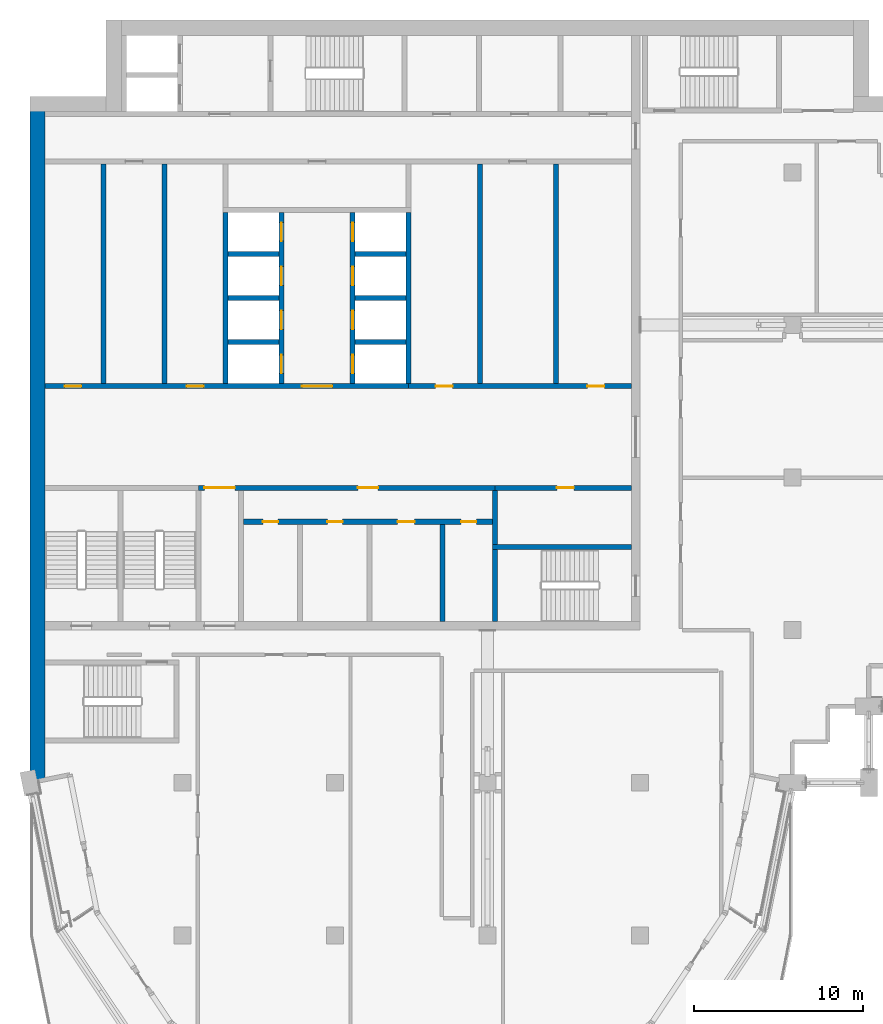
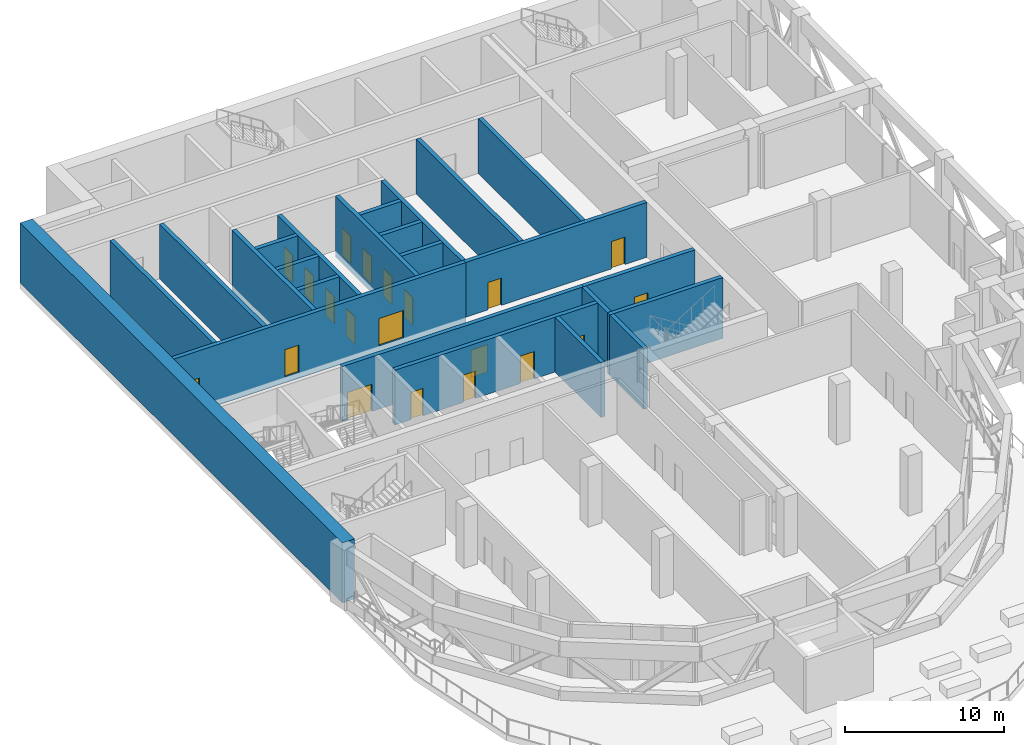
# One storey, part 8 of 18: 24 walls, 20 doors, 20 openings.
"""IFC4 building model written with IfcOpenShell, lengths in metres."""

from ifc_helpers import new_model, si_unit, direction, frame, frame_2d, origin, place, context, subcontext, project, spatial, rectangle, extrude, material, layer, layer_set, type_object, element, fill, save


model = new_model("IFC4")

# Units and contexts
model_context = context("Model", 3, precision=1e-05, world=origin(), true_north=direction((0.0, 1.0)))
body_context = subcontext(model_context, "Body", "Model", "MODEL_VIEW")
ifc_project = project(units=[si_unit("LENGTHUNIT", "METRE"), si_unit("AREAUNIT", "SQUARE_METRE"), si_unit("VOLUMEUNIT", "CUBIC_METRE"), si_unit("PLANEANGLEUNIT", "RADIAN"), si_unit("MASSUNIT", "GRAM", prefix="KILO")], contexts=[model_context])

# Site, building, storey
site_placement = place(None, origin())
site = spatial("IfcSite", under=ifc_project, at=site_placement, CompositionType="ELEMENT")
building_placement = place(site_placement, origin())
building = spatial("IfcBuilding", under=site, at=building_placement, Name="Hunhe Ridgeline Campus", CompositionType="ELEMENT")
storey_placement = place(building_placement, frame((0.0, 0.0, 276.199951171875)))
storey = spatial("IfcBuildingStorey", under=building, at=storey_placement, Name="L71", CompositionType="ELEMENT", Elevation=276.199951171875)

# Wall, openings, doors
ifc_material_1 = material(Name="Masonry concrete blockwork", Category="masonry")
ifc_layer_1 = layer(ifc_material_1, 0.300048828125)
ifc_layer_set_1 = layer_set([ifc_layer_1], Name="Core room partition 300 concrete block")
wall_type_1 = type_object("IfcWallType", Name="Core room partition 300 concrete block", PredefinedType="PARTITIONING", material=ifc_layer_set_1)
wall_1_placement = place(storey_placement, frame((12.60009765625, 69.39990234375, 0.0), z_axis=(0.0, 0.0, 1.0), x_axis=(1.0, 0.0, 0.0)))
wall_1 = element("IfcWall", 1, at=wall_1_placement, inside=storey, type_object=wall_type_1, Name="L71 core partition 7", PredefinedType="PARTITIONING", context=body_context, shape_type="SweptSolid", body=[
    extrude(rectangle(XDim=14.699951171875, YDim=0.300048828125, at=frame_2d((7.35009765625, 0.0))), origin(), (0.0, 0.0, 1.0), 4.199951171875),
])
opening_1_placement = place(wall_1_placement, frame((1.14990234375, 0.0, 0.0)))
opening_1 = element("IfcOpeningElement", 2, at=opening_1_placement, cuts=wall_1, Name="Opening CD8", PredefinedType="OPENING", context=body_context, shape_type="SweptSolid", body=[
    extrude(rectangle(XDim=0.89990234375, YDim=2.10009765625, at=frame_2d((0.449951171875, 1.050048828125))), frame((0.0, 0.14990234375, 0.0), z_axis=(0.0, -1.0, 0.0), x_axis=(1.0, 0.0, 0.0)), (0.0, 0.0, 1.0), 0.300048828125),
])
opening_2_placement = place(wall_1_placement, frame((4.949951171875, 0.0, 0.0)))
opening_2 = element("IfcOpeningElement", 3, at=opening_2_placement, cuts=wall_1, Name="Opening CD9", PredefinedType="OPENING", context=body_context, shape_type="SweptSolid", body=[
    extrude(rectangle(XDim=0.89990234375, YDim=2.10009765625, at=frame_2d((0.449951171875, 1.050048828125))), frame((0.0, 0.14990234375, 0.0), z_axis=(0.0, -1.0, 0.0), x_axis=(1.0, 0.0, 0.0)), (0.0, 0.0, 1.0), 0.300048828125),
])
opening_3_placement = place(wall_1_placement, frame((9.10009765625, 0.0, 0.0)))
opening_3 = element("IfcOpeningElement", 4, at=opening_3_placement, cuts=wall_1, Name="Opening CD10", PredefinedType="OPENING", context=body_context, shape_type="SweptSolid", body=[
    extrude(rectangle(XDim=1.0, YDim=2.10009765625, at=frame_2d((0.5, 1.050048828125))), frame((0.0, 0.14990234375, 0.0), z_axis=(0.0, -1.0, 0.0), x_axis=(1.0, 0.0, 0.0)), (0.0, 0.0, 1.0), 0.300048828125),
])
opening_4_placement = place(wall_1_placement, frame((12.85009765625, 0.0, 0.0)))
opening_4 = element("IfcOpeningElement", 5, at=opening_4_placement, cuts=wall_1, Name="Opening CD11", PredefinedType="OPENING", context=body_context, shape_type="SweptSolid", body=[
    extrude(rectangle(XDim=0.89990234375, YDim=2.10009765625, at=frame_2d((0.449951171875, 1.050048828125))), frame((0.0, 0.14990234375, 0.0), z_axis=(0.0, -1.0, 0.0), x_axis=(1.0, 0.0, 0.0)), (0.0, 0.0, 1.0), 0.300048828125),
])
ifc_material_2 = material(Name="Solid core timber door leaf", Category="wood")
door_type_1 = type_object("IfcDoorType", Name="Timber door 1000x2100", OperationType="SINGLE_SWING_LEFT", PredefinedType="DOOR", material=ifc_material_2)
door_1_placement = place(opening_3_placement, frame((1.0, 0.0, 0.0), z_axis=(0.0, 0.0, 1.0), x_axis=(-1.0, 0.0, 0.0)))
door_1 = element("IfcDoor", 6, at=door_1_placement, inside=storey, type_object=door_type_1, Name="L71 door WC3", OperationType="SINGLE_SWING_LEFT", OverallHeight=2.10009765625, OverallWidth=1.0, PredefinedType="DOOR", context=body_context, shape_type="SweptSolid", body=[
    extrude(rectangle(XDim=1.0, YDim=2.10009765625, at=frame_2d((0.5, 1.050048828125))), frame((0.0, 0.02490234375, 0.0), z_axis=(0.0, -1.0, 0.0), x_axis=(1.0, 0.0, 0.0)), (0.0, 0.0, 1.0), 0.050048828125),
])
fill(opening_3, door_1)
door_type_2 = type_object("IfcDoorType", Name="Timber door 900x2100", OperationType="SINGLE_SWING_LEFT", PredefinedType="DOOR", material=ifc_material_2)
door_2_placement = place(opening_1_placement, frame((0.89990234375, 0.0, 0.0), z_axis=(0.0, 0.0, 1.0), x_axis=(-1.0, 0.0, 0.0)))
door_2 = element("IfcDoor", 7, at=door_2_placement, inside=storey, type_object=door_type_2, Name="L71 door WC1", OperationType="SINGLE_SWING_LEFT", OverallHeight=2.10009765625, OverallWidth=0.89990234375, PredefinedType="DOOR", context=body_context, shape_type="SweptSolid", body=[
    extrude(rectangle(XDim=0.89990234375, YDim=2.10009765625, at=frame_2d((0.449951171875, 1.050048828125))), frame((0.0, 0.02490234375, 0.0), z_axis=(0.0, -1.0, 0.0), x_axis=(1.0, 0.0, 0.0)), (0.0, 0.0, 1.0), 0.050048828125),
])
fill(opening_1, door_2)
door_3_placement = place(opening_2_placement, frame((0.89990234375, 0.0, 0.0), z_axis=(0.0, 0.0, 1.0), x_axis=(-1.0, 0.0, 0.0)))
door_3 = element("IfcDoor", 8, at=door_3_placement, inside=storey, type_object=door_type_2, Name="L71 door WC2", OperationType="SINGLE_SWING_RIGHT", OverallHeight=2.10009765625, OverallWidth=0.89990234375, PredefinedType="DOOR", context=body_context, shape_type="SweptSolid", body=[
    extrude(rectangle(XDim=0.89990234375, YDim=2.10009765625, at=frame_2d((0.449951171875, 1.050048828125))), frame((0.0, 0.02490234375, 0.0), z_axis=(0.0, -1.0, 0.0), x_axis=(1.0, 0.0, 0.0)), (0.0, 0.0, 1.0), 0.050048828125),
])
fill(opening_2, door_3)
door_4_placement = place(opening_4_placement, frame((0.89990234375, 0.0, 0.0), z_axis=(0.0, 0.0, 1.0), x_axis=(-1.0, 0.0, 0.0)))
door_4 = element("IfcDoor", 9, at=door_4_placement, inside=storey, type_object=door_type_2, Name="L71 door WC4", OperationType="SINGLE_SWING_RIGHT", OverallHeight=2.10009765625, OverallWidth=0.89990234375, PredefinedType="DOOR", context=body_context, shape_type="SweptSolid", body=[
    extrude(rectangle(XDim=0.89990234375, YDim=2.10009765625, at=frame_2d((0.449951171875, 1.050048828125))), frame((0.0, 0.02490234375, 0.0), z_axis=(0.0, -1.0, 0.0), x_axis=(1.0, 0.0, 0.0)), (0.0, 0.0, 1.0), 0.050048828125),
])
fill(opening_4, door_4)

wall_2_placement = place(storey_placement, frame((9.949951171875, 71.39990234375, 0.0), z_axis=(0.0, 0.0, 1.0), x_axis=(1.0, 0.0, 0.0)))
wall_2 = element("IfcWall", 10, at=wall_2_placement, inside=storey, type_object=wall_type_1, Name="L71 core partition 9", PredefinedType="PARTITIONING", context=body_context, shape_type="SweptSolid", body=[
    extrude(rectangle(XDim=17.5, YDim=0.300048828125, at=frame_2d((8.75, 0.0))), origin(), (0.0, 0.0, 1.0), 4.199951171875),
])
opening_5_placement = place(wall_2_placement, frame((0.35009765625, 0.0, 0.0)))
opening_5 = element("IfcOpeningElement", 11, at=opening_5_placement, cuts=wall_2, Name="Opening CD7", PredefinedType="OPENING", context=body_context, shape_type="SweptSolid", body=[
    extrude(rectangle(XDim=1.800048828125, YDim=2.10009765625, at=frame_2d((0.89990234375, 1.050048828125))), frame((0.0, 0.14990234375, 0.0), z_axis=(0.0, -1.0, 0.0), x_axis=(1.0, 0.0, 0.0)), (0.0, 0.0, 1.0), 0.300048828125),
])
opening_6_placement = place(wall_2_placement, frame((9.39990234375, 0.0, 0.0)))
opening_6 = element("IfcOpeningElement", 12, at=opening_6_placement, cuts=wall_2, Name="Opening CD12", PredefinedType="OPENING", context=body_context, shape_type="SweptSolid", body=[
    extrude(rectangle(XDim=1.199951171875, YDim=2.10009765625, at=frame_2d((0.60009765625, 1.050048828125))), frame((0.0, 0.14990234375, 0.0), z_axis=(0.0, -1.0, 0.0), x_axis=(1.0, 0.0, 0.0)), (0.0, 0.0, 1.0), 0.300048828125),
])
ifc_material_3 = material(Name="Anodised aluminium and glass", Category="aluminium")
door_type_3 = type_object("IfcDoorType", Name="Glazed double door 1800x2100", OperationType="DOUBLE_DOOR_SINGLE_SWING", PredefinedType="DOOR", material=ifc_material_3)
door_5_placement = place(opening_5_placement, origin())
door_5 = element("IfcDoor", 13, at=door_5_placement, inside=storey, type_object=door_type_3, Name="L71 door VEST-HALL", OperationType="DOUBLE_DOOR_SINGLE_SWING", OverallHeight=2.10009765625, OverallWidth=1.800048828125, PredefinedType="DOOR", context=body_context, shape_type="SweptSolid", body=[
    extrude(rectangle(XDim=1.800048828125, YDim=2.10009765625, at=frame_2d((0.89990234375, 1.050048828125))), frame((0.0, 0.02490234375, 0.0), z_axis=(0.0, -1.0, 0.0), x_axis=(1.0, 0.0, 0.0)), (0.0, 0.0, 1.0), 0.050048828125),
])
fill(opening_5, door_5)
door_type_4 = type_object("IfcDoorType", Name="Timber door 1200x2100", OperationType="SINGLE_SWING_LEFT", PredefinedType="DOOR", material=ifc_material_2)
door_6_placement = place(opening_6_placement, origin())
door_6 = element("IfcDoor", 14, at=door_6_placement, inside=storey, type_object=door_type_4, Name="L71 door WCL2-HALL", OperationType="SINGLE_SWING_RIGHT", OverallHeight=2.10009765625, OverallWidth=1.199951171875, PredefinedType="DOOR", context=body_context, shape_type="SweptSolid", body=[
    extrude(rectangle(XDim=1.199951171875, YDim=2.10009765625, at=frame_2d((0.60009765625, 1.050048828125))), frame((0.0, 0.02490234375, 0.0), z_axis=(0.0, -1.0, 0.0), x_axis=(1.0, 0.0, 0.0)), (0.0, 0.0, 1.0), 0.050048828125),
])
fill(opening_6, door_6)

# Walls
for number, where, z_axis, x_axis, name in (
    (15, (4.35009765625, 77.550048828125, 0.0), (0.0, 0.0, 1.0), (0.0, 1.0, 0.0), "L71 core partition 24"),
    (16, (7.949951171875, 77.550048828125, 0.0), (0.0, 0.0, 1.0), (0.0, 1.0, 0.0), "L71 core partition 27"),
):
    element("IfcWall", number, at=place(storey_placement, frame(where, z_axis=z_axis, x_axis=x_axis)), inside=storey, type_object=wall_type_1, Name=name, PredefinedType="PARTITIONING", context=body_context, shape_type="SweptSolid", body=[
        extrude(rectangle(XDim=12.949951171875, YDim=0.300048828125, at=frame_2d((6.47509765625, 0.0))), origin(), (0.0, 0.0, 1.0), 4.199951171875),
    ])
wall_3_placement = place(storey_placement, frame((24.35009765625, 63.5, 0.0), z_axis=(0.0, 0.0, 1.0), x_axis=(0.0, 1.0, 0.0)))
element("IfcWall", 17, at=wall_3_placement, inside=storey, type_object=wall_type_1, Name="L71 core partition 44", PredefinedType="PARTITIONING", context=body_context, shape_type="SweptSolid", body=[
    extrude(rectangle(XDim=5.75, YDim=0.300048828125, at=frame_2d((2.875, 0.0))), origin(), (0.0, 0.0, 1.0), 4.199951171875),
])
wall_4_placement = place(storey_placement, frame((26.550048828125, 77.550048828125, 0.0), z_axis=(0.0, 0.0, 1.0), x_axis=(0.0, 1.0, 0.0)))
element("IfcWall", 18, at=wall_4_placement, inside=storey, type_object=wall_type_1, Name="L71 core partition 46", PredefinedType="PARTITIONING", context=body_context, shape_type="SweptSolid", body=[
    extrude(rectangle(XDim=12.949951171875, YDim=0.300048828125, at=frame_2d((6.47509765625, 0.0))), origin(), (0.0, 0.0, 1.0), 4.199951171875),
])
wall_5_placement = place(storey_placement, frame((27.449951171875, 68.050048828125, 0.0), z_axis=(0.0, 0.0, 1.0), x_axis=(0.0, 1.0, 0.0)))
element("IfcWall", 19, at=wall_5_placement, inside=storey, type_object=wall_type_1, Name="L71 core partition 48", PredefinedType="PARTITIONING", context=body_context, shape_type="SweptSolid", body=[
    extrude(rectangle(XDim=3.199951171875, YDim=0.300048828125, at=frame_2d((1.60009765625, 0.0))), origin(), (0.0, 0.0, 1.0), 4.199951171875),
])
wall_6_placement = place(storey_placement, frame((31.050048828125, 77.550048828125, 0.0), z_axis=(0.0, 0.0, 1.0), x_axis=(0.0, 1.0, 0.0)))
element("IfcWall", 20, at=wall_6_placement, inside=storey, type_object=wall_type_1, Name="L71 core partition 49", PredefinedType="PARTITIONING", context=body_context, shape_type="SweptSolid", body=[
    extrude(rectangle(XDim=12.949951171875, YDim=0.300048828125, at=frame_2d((6.47509765625, 0.0))), origin(), (0.0, 0.0, 1.0), 4.199951171875),
])

# Wall, opening, door
ifc_material_4 = material(Name="Concrete C50", Category="concrete")
ifc_layer_2 = layer(ifc_material_4, 0.300048828125)
ifc_layer_set_2 = layer_set([ifc_layer_2], Name="Lobby wall 300 reinforced concrete C50")
wall_type_2 = type_object("IfcWallType", Name="Lobby wall 300 reinforced concrete C50", PredefinedType="SOLIDWALL", material=ifc_layer_set_2)
wall_7_placement = place(storey_placement, frame((27.449951171875, 71.39990234375, 0.0), z_axis=(0.0, 0.0, 1.0), x_axis=(1.0, 0.0, 0.0)))
wall_7 = element("IfcWall", 21, at=wall_7_placement, inside=storey, type_object=wall_type_2, Name="L71 core wall 10", PredefinedType="SOLIDWALL", context=body_context, shape_type="SweptSolid", body=[
    extrude(rectangle(XDim=8.050048828125, YDim=0.300048828125, at=frame_2d((4.02490234375, 0.0))), origin(), (0.0, 0.0, 1.0), 4.199951171875),
])
opening_7_placement = place(wall_7_placement, frame((3.64990234375, 0.0, 0.0)))
opening_7 = element("IfcOpeningElement", 22, at=opening_7_placement, cuts=wall_7, Name="Opening CD25", PredefinedType="OPENING", context=body_context, shape_type="SweptSolid", body=[
    extrude(rectangle(XDim=1.0, YDim=2.10009765625, at=frame_2d((0.5, 1.050048828125))), frame((0.0, 0.14990234375, 0.0), z_axis=(0.0, -1.0, 0.0), x_axis=(1.0, 0.0, 0.0)), (0.0, 0.0, 1.0), 0.300048828125),
])
door_7_placement = place(opening_7_placement, frame((1.0, 0.0, 0.0), z_axis=(0.0, 0.0, 1.0), x_axis=(-1.0, 0.0, 0.0)))
door_7 = element("IfcDoor", 23, at=door_7_placement, inside=storey, type_object=door_type_1, Name="L71 door SE1", OperationType="SINGLE_SWING_LEFT", OverallHeight=2.10009765625, OverallWidth=1.0, PredefinedType="DOOR", context=body_context, shape_type="SweptSolid", body=[
    extrude(rectangle(XDim=1.0, YDim=2.10009765625, at=frame_2d((0.5, 1.050048828125))), frame((0.0, 0.02490234375, 0.0), z_axis=(0.0, -1.0, 0.0), x_axis=(1.0, 0.0, 0.0)), (0.0, 0.0, 1.0), 0.050048828125),
])
fill(opening_7, door_7)

# Wall, openings, doors
wall_8_placement = place(storey_placement, frame((22.35009765625, 77.39990234375, 0.0), z_axis=(0.0, 0.0, 1.0), x_axis=(1.0, 0.0, 0.0)))
wall_8 = element("IfcWall", 24, at=wall_8_placement, inside=storey, type_object=wall_type_2, Name="L71 core wall 12", PredefinedType="SOLIDWALL", context=body_context, shape_type="SweptSolid", body=[
    extrude(rectangle(XDim=13.14990234375, YDim=0.300048828125, at=frame_2d((6.574951171875, 0.0))), origin(), (0.0, 0.0, 1.0), 4.199951171875),
])
opening_8_placement = place(wall_8_placement, frame((1.60009765625, 0.0, 0.0)))
opening_8 = element("IfcOpeningElement", 25, at=opening_8_placement, cuts=wall_8, Name="Opening CD32", PredefinedType="OPENING", context=body_context, shape_type="SweptSolid", body=[
    extrude(rectangle(XDim=1.0, YDim=2.10009765625, at=frame_2d((0.5, 1.050048828125))), frame((0.0, 0.14990234375, 0.0), z_axis=(0.0, -1.0, 0.0), x_axis=(1.0, 0.0, 0.0)), (0.0, 0.0, 1.0), 0.300048828125),
])
opening_9_placement = place(wall_8_placement, frame((10.550048828125, 0.0, 0.0)))
opening_9 = element("IfcOpeningElement", 26, at=opening_9_placement, cuts=wall_8, Name="Opening CD42", PredefinedType="OPENING", context=body_context, shape_type="SweptSolid", body=[
    extrude(rectangle(XDim=1.0, YDim=2.10009765625, at=frame_2d((0.5, 1.050048828125))), frame((0.0, 0.14990234375, 0.0), z_axis=(0.0, -1.0, 0.0), x_axis=(1.0, 0.0, 0.0)), (0.0, 0.0, 1.0), 0.300048828125),
])
door_8_placement = place(opening_8_placement, origin())
door_8 = element("IfcDoor", 27, at=door_8_placement, inside=storey, type_object=door_type_1, Name="L71 door ES0", OperationType="SINGLE_SWING_LEFT", OverallHeight=2.10009765625, OverallWidth=1.0, PredefinedType="DOOR", context=body_context, shape_type="SweptSolid", body=[
    extrude(rectangle(XDim=1.0, YDim=2.10009765625, at=frame_2d((0.5, 1.050048828125))), frame((0.0, 0.02490234375, 0.0), z_axis=(0.0, -1.0, 0.0), x_axis=(1.0, 0.0, 0.0)), (0.0, 0.0, 1.0), 0.050048828125),
])
fill(opening_8, door_8)
door_9_placement = place(opening_9_placement, origin())
door_9 = element("IfcDoor", 28, at=door_9_placement, inside=storey, type_object=door_type_1, Name="L71 door ES2", OperationType="SINGLE_SWING_LEFT", OverallHeight=2.10009765625, OverallWidth=1.0, PredefinedType="DOOR", context=body_context, shape_type="SweptSolid", body=[
    extrude(rectangle(XDim=1.0, YDim=2.10009765625, at=frame_2d((0.5, 1.050048828125))), frame((0.0, 0.02490234375, 0.0), z_axis=(0.0, -1.0, 0.0), x_axis=(1.0, 0.0, 0.0)), (0.0, 0.0, 1.0), 0.050048828125),
])
fill(opening_9, door_9)

ifc_layer_3 = layer(ifc_material_4, 0.300048828125)
ifc_layer_set_3 = layer_set([ifc_layer_3], Name="Shaft wall 300 reinforced concrete C50")
wall_type_3 = type_object("IfcWallType", Name="Shaft wall 300 reinforced concrete C50", PredefinedType="SOLIDWALL", material=ifc_layer_set_3)
wall_9_placement = place(storey_placement, frame((0.89990234375, 77.39990234375, -0.449951171875), z_axis=(0.0, 0.0, 1.0), x_axis=(1.0, 0.0, 0.0)))
wall_9 = element("IfcWall", 29, at=wall_9_placement, inside=storey, type_object=wall_type_3, Name="L71 core wall 11", PredefinedType="SOLIDWALL", context=body_context, shape_type="SweptSolid", body=[
    extrude(rectangle(XDim=21.4501953125, YDim=0.300048828125, at=frame_2d((10.72509765625, 0.0))), origin(), (0.0, 0.0, 1.0), 4.64990234375),
])
opening_10_placement = place(wall_9_placement, frame((15.14990234375, 0.0, 0.449951171875)))
opening_10 = element("IfcOpeningElement", 30, at=opening_10_placement, cuts=wall_9, Name="Opening CD38", PredefinedType="OPENING", context=body_context, shape_type="SweptSolid", body=[
    extrude(rectangle(XDim=1.800048828125, YDim=2.10009765625, at=frame_2d((0.89990234375, 1.050048828125))), frame((0.0, 0.14990234375, 0.0), z_axis=(0.0, -1.0, 0.0), x_axis=(1.0, 0.0, 0.0)), (0.0, 0.0, 1.0), 0.300048828125),
])
opening_11_placement = place(wall_9_placement, frame((1.14990234375, 0.0, 0.449951171875)))
opening_11 = element("IfcOpeningElement", 31, at=opening_11_placement, cuts=wall_9, Name="Opening CD39", PredefinedType="OPENING", context=body_context, shape_type="SweptSolid", body=[
    extrude(rectangle(XDim=1.0, YDim=2.10009765625, at=frame_2d((0.5, 1.050048828125))), frame((0.0, 0.14990234375, 0.0), z_axis=(0.0, -1.0, 0.0), x_axis=(1.0, 0.0, 0.0)), (0.0, 0.0, 1.0), 0.300048828125),
])
opening_12_placement = place(wall_9_placement, frame((8.35009765625, 0.0, 0.449951171875)))
opening_12 = element("IfcOpeningElement", 32, at=opening_12_placement, cuts=wall_9, Name="Opening CD41", PredefinedType="OPENING", context=body_context, shape_type="SweptSolid", body=[
    extrude(rectangle(XDim=1.0, YDim=2.10009765625, at=frame_2d((0.5, 1.050048828125))), frame((0.0, 0.14990234375, 0.0), z_axis=(0.0, -1.0, 0.0), x_axis=(1.0, 0.0, 0.0)), (0.0, 0.0, 1.0), 0.300048828125),
])
ifc_material_5 = material(Name="Hollow metal fire door leaf")
door_type_5 = type_object("IfcDoorType", Name="Lobby door 1800x2100 FD60", OperationType="SINGLE_SWING_LEFT", PredefinedType="DOOR", material=ifc_material_5)
door_10_placement = place(opening_10_placement, frame((1.800048828125, 0.0, 0.0), z_axis=(0.0, 0.0, 1.0), x_axis=(-1.0, 0.0, 0.0)))
door_10 = element("IfcDoor", 33, at=door_10_placement, inside=storey, type_object=door_type_5, Name="L71 door LOB-HR", OperationType="SINGLE_SWING_RIGHT", OverallHeight=2.10009765625, OverallWidth=1.800048828125, PredefinedType="DOOR", context=body_context, shape_type="SweptSolid", body=[
    extrude(rectangle(XDim=1.800048828125, YDim=2.10009765625, at=frame_2d((0.89990234375, 1.050048828125))), frame((0.0, 0.02490234375, 0.0), z_axis=(0.0, -1.0, 0.0), x_axis=(1.0, 0.0, 0.0)), (0.0, 0.0, 1.0), 0.050048828125),
])
fill(opening_10, door_10)
door_11_placement = place(opening_11_placement, origin())
door_11 = element("IfcDoor", 34, at=door_11_placement, inside=storey, type_object=door_type_1, Name="L71 door VD-LR0", OperationType="SINGLE_SWING_LEFT", OverallHeight=2.10009765625, OverallWidth=1.0, PredefinedType="DOOR", context=body_context, shape_type="SweptSolid", body=[
    extrude(rectangle(XDim=1.0, YDim=2.10009765625, at=frame_2d((0.5, 1.050048828125))), frame((0.0, 0.02490234375, 0.0), z_axis=(0.0, -1.0, 0.0), x_axis=(1.0, 0.0, 0.0)), (0.0, 0.0, 1.0), 0.050048828125),
])
fill(opening_11, door_11)
door_12_placement = place(opening_12_placement, origin())
door_12 = element("IfcDoor", 35, at=door_12_placement, inside=storey, type_object=door_type_1, Name="L71 door VD-LR2", OperationType="SINGLE_SWING_LEFT", OverallHeight=2.10009765625, OverallWidth=1.0, PredefinedType="DOOR", context=body_context, shape_type="SweptSolid", body=[
    extrude(rectangle(XDim=1.0, YDim=2.10009765625, at=frame_2d((0.5, 1.050048828125))), frame((0.0, 0.02490234375, 0.0), z_axis=(0.0, -1.0, 0.0), x_axis=(1.0, 0.0, 0.0)), (0.0, 0.0, 1.0), 0.050048828125),
])
fill(opening_12, door_12)

# Walls
for number, where, z_axis, x_axis, name in (
    (36, (11.699951171875, 80.0, -0.449951171875), (0.0, 0.0, 1.0), (1.0, 0.0, 0.0), "L71 core wall 13"),
    (37, (19.199951171875, 80.0, -0.449951171875), (0.0, 0.0, 1.0), (1.0, 0.0, 0.0), "L71 core wall 14"),
    (38, (11.699951171875, 82.60009765625, -0.449951171875), (0.0, 0.0, 1.0), (1.0, 0.0, 0.0), "L71 core wall 15"),
    (39, (19.199951171875, 82.60009765625, -0.449951171875), (0.0, 0.0, 1.0), (1.0, 0.0, 0.0), "L71 core wall 16"),
    (40, (11.699951171875, 85.199951171875, -0.449951171875), (0.0, 0.0, 1.0), (1.0, 0.0, 0.0), "L71 core wall 17"),
    (41, (19.199951171875, 85.199951171875, -0.449951171875), (0.0, 0.0, 1.0), (1.0, 0.0, 0.0), "L71 core wall 18"),
):
    element("IfcWall", number, at=place(storey_placement, frame(where, z_axis=z_axis, x_axis=x_axis)), inside=storey, type_object=wall_type_3, Name=name, PredefinedType="SOLIDWALL", context=body_context, shape_type="SweptSolid", body=[
        extrude(rectangle(XDim=3.0, YDim=0.300048828125, at=frame_2d((1.5, 0.0))), origin(), (0.0, 0.0, 1.0), 4.64990234375),
    ])
wall_10_placement = place(storey_placement, frame((11.550048828125, 77.550048828125, -0.449951171875), z_axis=(0.0, 0.0, 1.0), x_axis=(0.0, 1.0, 0.0)))
element("IfcWall", 42, at=wall_10_placement, inside=storey, type_object=wall_type_3, Name="L71 core wall 31", PredefinedType="SOLIDWALL", context=body_context, shape_type="SweptSolid", body=[
    extrude(rectangle(XDim=10.099853515625, YDim=0.300048828125, at=frame_2d((5.0498046875, 0.0))), origin(), (0.0, 0.0, 1.0), 4.64990234375),
])

# Wall, openings, doors
wall_11_placement = place(storey_placement, frame((14.85009765625, 77.550048828125, -0.449951171875), z_axis=(0.0, 0.0, 1.0), x_axis=(0.0, 1.0, 0.0)))
wall_11 = element("IfcWall", 43, at=wall_11_placement, inside=storey, type_object=wall_type_3, Name="L71 core wall 35", PredefinedType="SOLIDWALL", context=body_context, shape_type="SweptSolid", body=[
    extrude(rectangle(XDim=10.099853515625, YDim=0.300048828125, at=frame_2d((5.0498046875, 0.0))), origin(), (0.0, 0.0, 1.0), 4.64990234375),
])
opening_13_placement = place(wall_11_placement, frame((0.60009765625, 0.0, 0.449951171875)))
opening_13 = element("IfcOpeningElement", 44, at=opening_13_placement, cuts=wall_11, Name="Opening LD-HR1", PredefinedType="OPENING", context=body_context, shape_type="SweptSolid", body=[
    extrude(rectangle(XDim=1.10009765625, YDim=2.10009765625, at=frame_2d((0.550048828125, 1.050048828125))), frame((0.0, 0.14990234375, 0.0), z_axis=(0.0, -1.0, 0.0), x_axis=(1.0, 0.0, 0.0)), (0.0, 0.0, 1.0), 0.300048828125),
])
opening_14_placement = place(wall_11_placement, frame((3.199951171875, 0.0, 0.449951171875)))
opening_14 = element("IfcOpeningElement", 45, at=opening_14_placement, cuts=wall_11, Name="Opening LD-HR2", PredefinedType="OPENING", context=body_context, shape_type="SweptSolid", body=[
    extrude(rectangle(XDim=1.10009765625, YDim=2.10009765625, at=frame_2d((0.550048828125, 1.050048828125))), frame((0.0, 0.14990234375, 0.0), z_axis=(0.0, -1.0, 0.0), x_axis=(1.0, 0.0, 0.0)), (0.0, 0.0, 1.0), 0.300048828125),
])
opening_15_placement = place(wall_11_placement, frame((5.800048828125, 0.0, 0.449951171875)))
opening_15 = element("IfcOpeningElement", 46, at=opening_15_placement, cuts=wall_11, Name="Opening LD-HR3", PredefinedType="OPENING", context=body_context, shape_type="SweptSolid", body=[
    extrude(rectangle(XDim=1.10009765625, YDim=2.10009765625, at=frame_2d((0.550048828125, 1.050048828125))), frame((0.0, 0.14990234375, 0.0), z_axis=(0.0, -1.0, 0.0), x_axis=(1.0, 0.0, 0.0)), (0.0, 0.0, 1.0), 0.300048828125),
])
opening_16_placement = place(wall_11_placement, frame((8.39990234375, 0.0, 0.449951171875)))
opening_16 = element("IfcOpeningElement", 47, at=opening_16_placement, cuts=wall_11, Name="Opening LD-HR4", PredefinedType="OPENING", context=body_context, shape_type="SweptSolid", body=[
    extrude(rectangle(XDim=1.10009765625, YDim=2.10009765625, at=frame_2d((0.550048828125, 1.050048828125))), frame((0.0, 0.14990234375, 0.0), z_axis=(0.0, -1.0, 0.0), x_axis=(1.0, 0.0, 0.0)), (0.0, 0.0, 1.0), 0.300048828125),
])
ifc_material_6 = material(Name="Stainless steel sliding leaves", Category="steel")
door_type_6 = type_object("IfcDoorType", Name="Landing door 1100x2100 FD120", OperationType="SLIDING_TO_LEFT", PredefinedType="DOOR", material=ifc_material_6)
door_13_placement = place(opening_13_placement, origin())
door_13 = element("IfcDoor", 48, at=door_13_placement, inside=storey, type_object=door_type_6, Name="L71 landing door HR1", OperationType="SLIDING_TO_RIGHT", OverallHeight=2.10009765625, OverallWidth=1.10009765625, PredefinedType="DOOR", context=body_context, shape_type="SweptSolid", body=[
    extrude(rectangle(XDim=1.10009765625, YDim=2.10009765625, at=frame_2d((0.550048828125, 1.050048828125))), frame((0.0, 0.02490234375, 0.0), z_axis=(0.0, -1.0, 0.0), x_axis=(1.0, 0.0, 0.0)), (0.0, 0.0, 1.0), 0.050048828125),
])
fill(opening_13, door_13)
door_14_placement = place(opening_14_placement, origin())
door_14 = element("IfcDoor", 49, at=door_14_placement, inside=storey, type_object=door_type_6, Name="L71 landing door HR2", OperationType="SLIDING_TO_LEFT", OverallHeight=2.10009765625, OverallWidth=1.10009765625, PredefinedType="DOOR", context=body_context, shape_type="SweptSolid", body=[
    extrude(rectangle(XDim=1.10009765625, YDim=2.10009765625, at=frame_2d((0.550048828125, 1.050048828125))), frame((0.0, 0.02490234375, 0.0), z_axis=(0.0, -1.0, 0.0), x_axis=(1.0, 0.0, 0.0)), (0.0, 0.0, 1.0), 0.050048828125),
])
fill(opening_14, door_14)
door_15_placement = place(opening_15_placement, origin())
door_15 = element("IfcDoor", 50, at=door_15_placement, inside=storey, type_object=door_type_6, Name="L71 landing door HR3", OperationType="SLIDING_TO_RIGHT", OverallHeight=2.10009765625, OverallWidth=1.10009765625, PredefinedType="DOOR", context=body_context, shape_type="SweptSolid", body=[
    extrude(rectangle(XDim=1.10009765625, YDim=2.10009765625, at=frame_2d((0.550048828125, 1.050048828125))), frame((0.0, 0.02490234375, 0.0), z_axis=(0.0, -1.0, 0.0), x_axis=(1.0, 0.0, 0.0)), (0.0, 0.0, 1.0), 0.050048828125),
])
fill(opening_15, door_15)
door_16_placement = place(opening_16_placement, origin())
door_16 = element("IfcDoor", 51, at=door_16_placement, inside=storey, type_object=door_type_6, Name="L71 landing door HR4", OperationType="SLIDING_TO_LEFT", OverallHeight=2.10009765625, OverallWidth=1.10009765625, PredefinedType="DOOR", context=body_context, shape_type="SweptSolid", body=[
    extrude(rectangle(XDim=1.10009765625, YDim=2.10009765625, at=frame_2d((0.550048828125, 1.050048828125))), frame((0.0, 0.02490234375, 0.0), z_axis=(0.0, -1.0, 0.0), x_axis=(1.0, 0.0, 0.0)), (0.0, 0.0, 1.0), 0.050048828125),
])
fill(opening_16, door_16)

wall_12_placement = place(storey_placement, frame((19.050048828125, 77.550048828125, -0.449951171875), z_axis=(0.0, 0.0, 1.0), x_axis=(0.0, 1.0, 0.0)))
wall_12 = element("IfcWall", 52, at=wall_12_placement, inside=storey, type_object=wall_type_3, Name="L71 core wall 37", PredefinedType="SOLIDWALL", context=body_context, shape_type="SweptSolid", body=[
    extrude(rectangle(XDim=10.099853515625, YDim=0.300048828125, at=frame_2d((5.0498046875, 0.0))), origin(), (0.0, 0.0, 1.0), 4.64990234375),
])
opening_17_placement = place(wall_12_placement, frame((0.60009765625, 0.0, 0.449951171875)))
opening_17 = element("IfcOpeningElement", 53, at=opening_17_placement, cuts=wall_12, Name="Opening LD-HR5", PredefinedType="OPENING", context=body_context, shape_type="SweptSolid", body=[
    extrude(rectangle(XDim=1.10009765625, YDim=2.10009765625, at=frame_2d((0.550048828125, 1.050048828125))), frame((0.0, 0.14990234375, 0.0), z_axis=(0.0, -1.0, 0.0), x_axis=(1.0, 0.0, 0.0)), (0.0, 0.0, 1.0), 0.300048828125),
])
opening_18_placement = place(wall_12_placement, frame((3.199951171875, 0.0, 0.449951171875)))
opening_18 = element("IfcOpeningElement", 54, at=opening_18_placement, cuts=wall_12, Name="Opening LD-HR6", PredefinedType="OPENING", context=body_context, shape_type="SweptSolid", body=[
    extrude(rectangle(XDim=1.10009765625, YDim=2.10009765625, at=frame_2d((0.550048828125, 1.050048828125))), frame((0.0, 0.14990234375, 0.0), z_axis=(0.0, -1.0, 0.0), x_axis=(1.0, 0.0, 0.0)), (0.0, 0.0, 1.0), 0.300048828125),
])
opening_19_placement = place(wall_12_placement, frame((5.800048828125, 0.0, 0.449951171875)))
opening_19 = element("IfcOpeningElement", 55, at=opening_19_placement, cuts=wall_12, Name="Opening LD-HR7", PredefinedType="OPENING", context=body_context, shape_type="SweptSolid", body=[
    extrude(rectangle(XDim=1.10009765625, YDim=2.10009765625, at=frame_2d((0.550048828125, 1.050048828125))), frame((0.0, 0.14990234375, 0.0), z_axis=(0.0, -1.0, 0.0), x_axis=(1.0, 0.0, 0.0)), (0.0, 0.0, 1.0), 0.300048828125),
])
opening_20_placement = place(wall_12_placement, frame((8.39990234375, 0.0, 0.449951171875)))
opening_20 = element("IfcOpeningElement", 56, at=opening_20_placement, cuts=wall_12, Name="Opening LD-HR8", PredefinedType="OPENING", context=body_context, shape_type="SweptSolid", body=[
    extrude(rectangle(XDim=1.10009765625, YDim=2.10009765625, at=frame_2d((0.550048828125, 1.050048828125))), frame((0.0, 0.14990234375, 0.0), z_axis=(0.0, -1.0, 0.0), x_axis=(1.0, 0.0, 0.0)), (0.0, 0.0, 1.0), 0.300048828125),
])
door_17_placement = place(opening_17_placement, origin())
door_17 = element("IfcDoor", 57, at=door_17_placement, inside=storey, type_object=door_type_6, Name="L71 landing door HR5", OperationType="SLIDING_TO_RIGHT", OverallHeight=2.10009765625, OverallWidth=1.10009765625, PredefinedType="DOOR", context=body_context, shape_type="SweptSolid", body=[
    extrude(rectangle(XDim=1.10009765625, YDim=2.10009765625, at=frame_2d((0.550048828125, 1.050048828125))), frame((0.0, 0.02490234375, 0.0), z_axis=(0.0, -1.0, 0.0), x_axis=(1.0, 0.0, 0.0)), (0.0, 0.0, 1.0), 0.050048828125),
])
fill(opening_17, door_17)
door_18_placement = place(opening_18_placement, origin())
door_18 = element("IfcDoor", 58, at=door_18_placement, inside=storey, type_object=door_type_6, Name="L71 landing door HR6", OperationType="SLIDING_TO_LEFT", OverallHeight=2.10009765625, OverallWidth=1.10009765625, PredefinedType="DOOR", context=body_context, shape_type="SweptSolid", body=[
    extrude(rectangle(XDim=1.10009765625, YDim=2.10009765625, at=frame_2d((0.550048828125, 1.050048828125))), frame((0.0, 0.02490234375, 0.0), z_axis=(0.0, -1.0, 0.0), x_axis=(1.0, 0.0, 0.0)), (0.0, 0.0, 1.0), 0.050048828125),
])
fill(opening_18, door_18)
door_19_placement = place(opening_19_placement, origin())
door_19 = element("IfcDoor", 59, at=door_19_placement, inside=storey, type_object=door_type_6, Name="L71 landing door HR7", OperationType="SLIDING_TO_RIGHT", OverallHeight=2.10009765625, OverallWidth=1.10009765625, PredefinedType="DOOR", context=body_context, shape_type="SweptSolid", body=[
    extrude(rectangle(XDim=1.10009765625, YDim=2.10009765625, at=frame_2d((0.550048828125, 1.050048828125))), frame((0.0, 0.02490234375, 0.0), z_axis=(0.0, -1.0, 0.0), x_axis=(1.0, 0.0, 0.0)), (0.0, 0.0, 1.0), 0.050048828125),
])
fill(opening_19, door_19)
door_20_placement = place(opening_20_placement, origin())
door_20 = element("IfcDoor", 60, at=door_20_placement, inside=storey, type_object=door_type_6, Name="L71 landing door HR8", OperationType="SLIDING_TO_LEFT", OverallHeight=2.10009765625, OverallWidth=1.10009765625, PredefinedType="DOOR", context=body_context, shape_type="SweptSolid", body=[
    extrude(rectangle(XDim=1.10009765625, YDim=2.10009765625, at=frame_2d((0.550048828125, 1.050048828125))), frame((0.0, 0.02490234375, 0.0), z_axis=(0.0, -1.0, 0.0), x_axis=(1.0, 0.0, 0.0)), (0.0, 0.0, 1.0), 0.050048828125),
])
fill(opening_20, door_20)

# Walls
wall_13_placement = place(storey_placement, frame((22.35009765625, 77.550048828125, -0.449951171875), z_axis=(0.0, 0.0, 1.0), x_axis=(0.0, 1.0, 0.0)))
element("IfcWall", 61, at=wall_13_placement, inside=storey, type_object=wall_type_3, Name="L71 core wall 41", PredefinedType="SOLIDWALL", context=body_context, shape_type="SweptSolid", body=[
    extrude(rectangle(XDim=10.099853515625, YDim=0.300048828125, at=frame_2d((5.0498046875, 0.0))), origin(), (0.0, 0.0, 1.0), 4.64990234375),
])
ifc_layer_4 = layer(ifc_material_4, 0.89990234375)
ifc_layer_set_4 = layer_set([ifc_layer_4], Name="Spine wall 900 Concrete C50")
wall_type_4 = type_object("IfcWallType", Name="Spine wall 900 Concrete C50", PredefinedType="SHEAR", material=ifc_layer_set_4)
wall_14_placement = place(storey_placement, frame((0.449951171875, 94.5, 0.0), z_axis=(0.0, 0.0, 1.0), x_axis=(0.0, -1.0, 0.0)))
element("IfcWall", 62, at=wall_14_placement, inside=storey, type_object=wall_type_4, Name="Spine wall SW4-1 L71", PredefinedType="SHEAR", context=body_context, shape_type="SweptSolid", body=[
    extrude(rectangle(XDim=40.45556640625, YDim=0.89990234375, at=frame_2d((20.227783203125, 0.0))), origin(), (0.0, 0.0, 1.0), 4.60009765625),
])
ifc_layer_5 = layer(ifc_material_4, 0.300048828125)
ifc_layer_set_5 = layer_set([ifc_layer_5], Name="Stair wall 300 reinforced concrete C50")
wall_type_5 = type_object("IfcWallType", Name="Stair wall 300 reinforced concrete C50", PredefinedType="SOLIDWALL", material=ifc_layer_set_5)
wall_15_placement = place(storey_placement, frame((27.300048828125, 67.89990234375, -0.449951171875), z_axis=(0.0, 0.0, 1.0), x_axis=(1.0, 0.0, 0.0)))
element("IfcWall", 63, at=wall_15_placement, inside=storey, type_object=wall_type_5, Name="L71 core wall 6", PredefinedType="SOLIDWALL", context=body_context, shape_type="SweptSolid", body=[
    extrude(rectangle(XDim=8.199951171875, YDim=0.300048828125, at=frame_2d((4.10009765625, 0.0))), origin(), (0.0, 0.0, 1.0), 4.64990234375),
])
wall_16_placement = place(storey_placement, frame((27.449951171875, 63.5, -0.449951171875), z_axis=(0.0, 0.0, 1.0), x_axis=(0.0, 1.0, 0.0)))
element("IfcWall", 64, at=wall_16_placement, inside=storey, type_object=wall_type_5, Name="L71 core wall 47", PredefinedType="SOLIDWALL", context=body_context, shape_type="SweptSolid", body=[
    extrude(rectangle(XDim=4.25, YDim=0.300048828125, at=frame_2d((2.125, 0.0))), origin(), (0.0, 0.0, 1.0), 4.64990234375),
])

save(model, "model.ifc")
